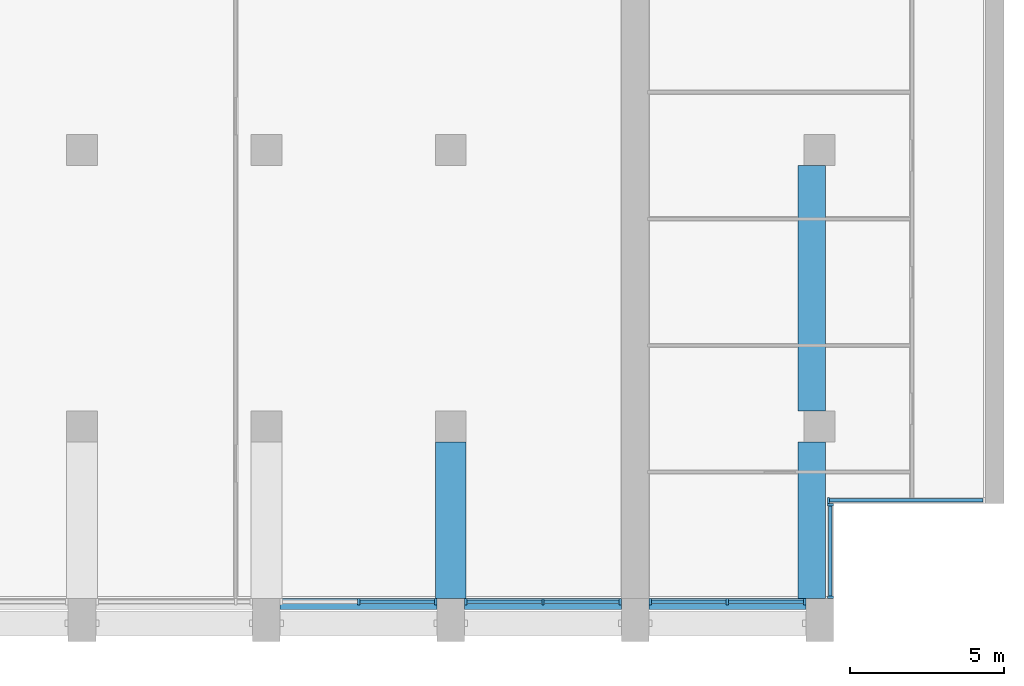
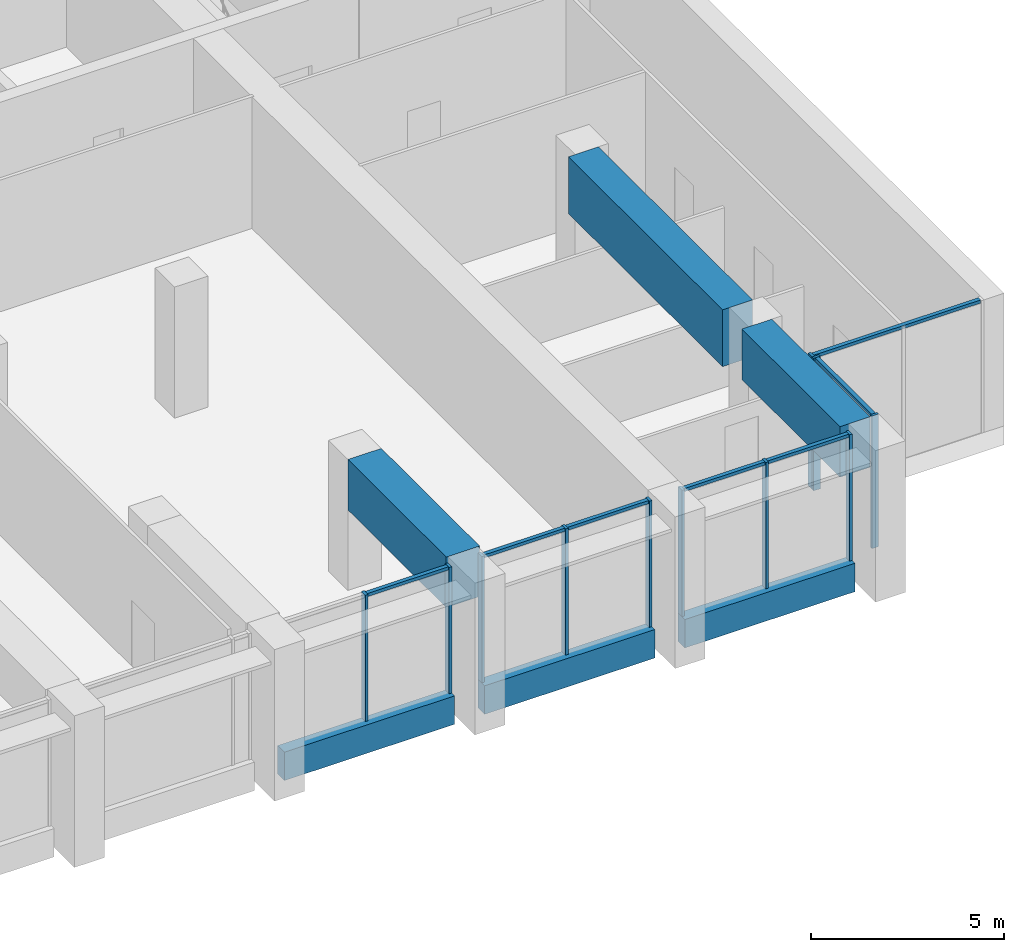
# One storey, part 3 of 13: 18 members, 6 beams, 5 elements without a shape of their own.
"""IFC4 building model written with IfcOpenShell, lengths in metres."""

from ifc_helpers import new_model, si_unit, direction, frame, origin, origin_2d, place, context, subcontext, project, spatial, rectangle, extrude, material, material_profile, profile_set, type_object, element, aggregate, save


model = new_model("IFC4")

# Units and contexts
model_context = context("Model", 3, precision=1e-05, world=origin(), true_north=direction((0.0, 1.0)))
body_context = subcontext(model_context, "Body", "Model", "MODEL_VIEW")
ifc_project = project(units=[si_unit("LENGTHUNIT", "METRE"), si_unit("AREAUNIT", "SQUARE_METRE"), si_unit("VOLUMEUNIT", "CUBIC_METRE"), si_unit("PLANEANGLEUNIT", "RADIAN"), si_unit("MASSUNIT", "GRAM", prefix="KILO")], contexts=[model_context])

# Site, building, storey
site_placement = place(None, origin())
site = spatial("IfcSite", under=ifc_project, at=site_placement, CompositionType="ELEMENT")
building_placement = place(site_placement, origin())
building = spatial("IfcBuilding", under=site, at=building_placement, Name="Calvaro Tower", CompositionType="ELEMENT")
storey_placement = place(building_placement, frame((0.0, 0.0, 226.75)))
storey = spatial("IfcBuildingStorey", under=building, at=storey_placement, Name="L57", CompositionType="ELEMENT", Elevation=226.75)

# Curtain wall, members
ifc_material_1 = material(Name="Anodised aluminium", Category="aluminium")
curtain_wall_type = type_object("IfcCurtainWallType", Name="Louvre wall", PredefinedType="NOTDEFINED", material=ifc_material_1)
curtain_wall_1_placement = place(storey_placement, origin())
curtain_wall_1 = element("IfcCurtainWall", 1, at=curtain_wall_1_placement, inside=storey, type_object=curtain_wall_type, Name="CW8 south louvre wall", PredefinedType="NOTDEFINED")
ifc_material_2 = material(Name="Anodised aluminium", Category="aluminium")
ifc_material_profile_1 = material_profile(ifc_material_2, rectangle(XDim=0.199951171875, YDim=0.080078125, at=origin_2d()), Name="Mullion LV 80 x 200")
ifc_profile_set_1 = profile_set([ifc_material_profile_1], Name="Anodised aluminium")
member_type_1 = type_object("IfcMemberType", Name="Mullion LV 80 x 200", PredefinedType="MULLION", material=ifc_profile_set_1)
member_1_placement = place(storey_placement, frame((51.0, 4.300048828125, 0.0), z_axis=(0.0, 0.0, 1.0), x_axis=(0.0, 1.0, 0.0)))
member_1 = element("IfcMember", 2, at=member_1_placement, type_object=member_type_1, Name="CW8 mullion 2", PredefinedType="MULLION", context=body_context, shape_type="SweptSolid", body=[
    extrude(rectangle(XDim=0.199951171875, YDim=0.080078125, at=origin_2d()), origin(), (0.0, 0.0, 1.0), 4.0),
])
member_2_placement = place(storey_placement, frame((53.510009765625, 4.300048828125, 0.0), z_axis=(0.0, 0.0, 1.0), x_axis=(0.0, 1.0, 0.0)))
member_2 = element("IfcMember", 3, at=member_2_placement, type_object=member_type_1, Name="CW8 mullion 3", PredefinedType="MULLION", context=body_context, shape_type="SweptSolid", body=[
    extrude(rectangle(XDim=0.199951171875, YDim=0.080078125, at=origin_2d()), origin(), (0.0, 0.0, 1.0), 4.0),
])

curtain_wall_2_placement = place(storey_placement, origin())
curtain_wall_2 = element("IfcCurtainWall", 4, at=curtain_wall_2_placement, inside=storey, type_object=curtain_wall_type, Name="CW8 south louvre wall", PredefinedType="NOTDEFINED")
member_3_placement = place(storey_placement, frame((54.489990234375, 4.300048828125, 0.0), z_axis=(0.0, 0.0, 1.0), x_axis=(0.0, 1.0, 0.0)))
member_3 = element("IfcMember", 5, at=member_3_placement, type_object=member_type_1, Name="CW8 mullion 1", PredefinedType="MULLION", context=body_context, shape_type="SweptSolid", body=[
    extrude(rectangle(XDim=0.199951171875, YDim=0.080078125, at=origin_2d()), origin(), (0.0, 0.0, 1.0), 4.0),
])
member_4_placement = place(storey_placement, frame((57.0, 4.300048828125, 0.0), z_axis=(0.0, 0.0, 1.0), x_axis=(0.0, 1.0, 0.0)))
member_4 = element("IfcMember", 6, at=member_4_placement, type_object=member_type_1, Name="CW8 mullion 2", PredefinedType="MULLION", context=body_context, shape_type="SweptSolid", body=[
    extrude(rectangle(XDim=0.199951171875, YDim=0.080078125, at=origin_2d()), origin(), (0.0, 0.0, 1.0), 4.0),
])
member_5_placement = place(storey_placement, frame((59.510009765625, 4.300048828125, 0.0), z_axis=(0.0, 0.0, 1.0), x_axis=(0.0, 1.0, 0.0)))
member_5 = element("IfcMember", 7, at=member_5_placement, type_object=member_type_1, Name="CW8 mullion 3", PredefinedType="MULLION", context=body_context, shape_type="SweptSolid", body=[
    extrude(rectangle(XDim=0.199951171875, YDim=0.080078125, at=origin_2d()), origin(), (0.0, 0.0, 1.0), 4.0),
])

curtain_wall_3_placement = place(storey_placement, origin())
curtain_wall_3 = element("IfcCurtainWall", 8, at=curtain_wall_3_placement, inside=storey, type_object=curtain_wall_type, Name="CW8 south louvre wall", PredefinedType="NOTDEFINED")
member_6_placement = place(storey_placement, frame((60.489990234375, 4.300048828125, 0.0), z_axis=(0.0, 0.0, 1.0), x_axis=(0.0, 1.0, 0.0)))
member_6 = element("IfcMember", 9, at=member_6_placement, type_object=member_type_1, Name="CW8 mullion 1", PredefinedType="MULLION", context=body_context, shape_type="SweptSolid", body=[
    extrude(rectangle(XDim=0.199951171875, YDim=0.080078125, at=origin_2d()), origin(), (0.0, 0.0, 1.0), 4.0),
])
member_7_placement = place(storey_placement, frame((63.0, 4.300048828125, 0.0), z_axis=(0.0, 0.0, 1.0), x_axis=(0.0, 1.0, 0.0)))
member_7 = element("IfcMember", 10, at=member_7_placement, type_object=member_type_1, Name="CW8 mullion 2", PredefinedType="MULLION", context=body_context, shape_type="SweptSolid", body=[
    extrude(rectangle(XDim=0.199951171875, YDim=0.080078125, at=origin_2d()), origin(), (0.0, 0.0, 1.0), 4.0),
])
member_8_placement = place(storey_placement, frame((65.510009765625, 4.300048828125, 0.0), z_axis=(0.0, 0.0, 1.0), x_axis=(0.0, 1.0, 0.0)))
member_8 = element("IfcMember", 11, at=member_8_placement, type_object=member_type_1, Name="CW8 mullion 3", PredefinedType="MULLION", context=body_context, shape_type="SweptSolid", body=[
    extrude(rectangle(XDim=0.199951171875, YDim=0.080078125, at=origin_2d()), origin(), (0.0, 0.0, 1.0), 4.0),
])

curtain_wall_4_placement = place(storey_placement, origin())
curtain_wall_4 = element("IfcCurtainWall", 12, at=curtain_wall_4_placement, inside=storey, type_object=curtain_wall_type, Name="CW8 corner curtain wall", PredefinedType="NOTDEFINED")
member_9_placement = place(storey_placement, frame((66.35009765625, 4.43994140625, 0.0), z_axis=(0.0, 0.0, 1.0), x_axis=(-1.0, 0.0, 0.0)))
member_9 = element("IfcMember", 13, at=member_9_placement, type_object=member_type_1, Name="CW8 mullion 1", PredefinedType="MULLION", context=body_context, shape_type="SweptSolid", body=[
    extrude(rectangle(XDim=0.199951171875, YDim=0.080078125, at=origin_2d()), origin(), (0.0, 0.0, 1.0), 4.199951171875),
])
member_10_placement = place(storey_placement, frame((66.35009765625, 7.4599609375, 0.0), z_axis=(0.0, 0.0, 1.0), x_axis=(-1.0, 0.0, 0.0)))
member_10 = element("IfcMember", 14, at=member_10_placement, type_object=member_type_1, Name="CW8 mullion 2", PredefinedType="MULLION", context=body_context, shape_type="SweptSolid", body=[
    extrude(rectangle(XDim=0.199951171875, YDim=0.080078125, at=origin_2d()), origin(), (0.0, 0.0, 1.0), 4.199951171875),
])

# Curtain wall, member
curtain_wall_5_placement = place(storey_placement, origin())
curtain_wall_5 = element("IfcCurtainWall", 15, at=curtain_wall_5_placement, inside=storey, type_object=curtain_wall_type, Name="CW8 corner curtain wall", PredefinedType="NOTDEFINED")
member_11_placement = place(storey_placement, frame((66.2900390625, 7.60009765625, 0.0), z_axis=(0.0, 0.0, 1.0), x_axis=(0.0, 1.0, 0.0)))
member_11 = element("IfcMember", 16, at=member_11_placement, type_object=member_type_1, Name="CW8 mullion 1", PredefinedType="MULLION", context=body_context, shape_type="SweptSolid", body=[
    extrude(rectangle(XDim=0.199951171875, YDim=0.080078125, at=origin_2d()), origin(), (0.0, 0.0, 1.0), 4.199951171875),
])

# Beams
ifc_material_3 = material(Name="Concrete C50/60 precast", Category="concrete")
ifc_material_profile_2 = material_profile(ifc_material_3, rectangle(XDim=0.35009765625, YDim=0.89990234375, at=origin_2d()), Name="RC 350x900")
ifc_profile_set_2 = profile_set([ifc_material_profile_2], Name="Concrete C50/60 precast")
beam_type_1 = type_object("IfcBeamType", Name="Spandrel beam 350x900 C50/60", PredefinedType="SPANDREL", material=ifc_profile_set_2)
for number, where, z_axis, x_axis, name in (
    (17, (48.449951171875, 4.22509765625, -0.449951171875), (1.0, 0.0, 0.0), (0.0, 1.0, 0.0), "Spandrel beam"),
    (18, (54.449951171875, 4.22509765625, -0.449951171875), (1.0, 0.0, 0.0), (0.0, 1.0, 0.0), "Spandrel beam"),
    (19, (60.449951171875, 4.22509765625, -0.449951171875), (1.0, 0.0, 0.0), (0.0, 1.0, 0.0), "Spandrel beam"),
):
    element("IfcBeam", number, at=place(storey_placement, frame(where, z_axis=z_axis, x_axis=x_axis)), inside=storey, type_object=beam_type_1, Name=name, PredefinedType="SPANDREL", context=body_context, shape_type="SweptSolid", body=[
        extrude(rectangle(XDim=0.35009765625, YDim=0.89990234375, at=origin_2d()), origin(), (0.0, 0.0, 1.0), 5.10009765625),
    ])
ifc_material_4 = material(Name="Concrete C60/75", Category="concrete")
ifc_material_profile_3 = material_profile(ifc_material_4, rectangle(XDim=1.0, YDim=1.60009765625, at=origin_2d()), Name="RC 1000x1600")
ifc_profile_set_3 = profile_set([ifc_material_profile_3], Name="Concrete C60/75")
beam_type_2 = type_object("IfcBeamType", Name="Transfer girder 1000x1600 C60/75", PredefinedType="BEAM", material=ifc_profile_set_3)
beam_1_placement = place(storey_placement, frame((54.0, 4.39990234375, 3.39990234375), z_axis=(0.0, 1.0, 0.0), x_axis=(-1.0, 0.0, 0.0)))
element("IfcBeam", 20, at=beam_1_placement, inside=storey, type_object=beam_type_2, Name="Transfer girder", PredefinedType="BEAM", context=body_context, shape_type="SweptSolid", body=[
    extrude(rectangle(XDim=1.0, YDim=1.60009765625, at=origin_2d()), origin(), (0.0, 0.0, 1.0), 5.10009765625),
])
ifc_material_5 = material(Name="Concrete C60/75", Category="concrete")
ifc_material_profile_4 = material_profile(ifc_material_5, rectangle(XDim=0.89990234375, YDim=1.60009765625, at=origin_2d()), Name="RC 900x1600")
ifc_profile_set_4 = profile_set([ifc_material_profile_4], Name="Concrete C60/75")
beam_type_3 = type_object("IfcBeamType", Name="Transfer girder 900x1600 C60/75", PredefinedType="BEAM", material=ifc_profile_set_4)
beam_2_placement = place(storey_placement, frame((65.75, 4.39990234375, 3.39990234375), z_axis=(0.0, 1.0, 0.0), x_axis=(-1.0, 0.0, 0.0)))
element("IfcBeam", 21, at=beam_2_placement, inside=storey, type_object=beam_type_3, Name="Transfer girder", PredefinedType="BEAM", context=body_context, shape_type="SweptSolid", body=[
    extrude(rectangle(XDim=0.89990234375, YDim=1.60009765625, at=origin_2d()), origin(), (0.0, 0.0, 1.0), 5.10009765625),
])
ifc_material_6 = material(Name="Concrete C60/75", Category="concrete")
ifc_material_profile_5 = material_profile(ifc_material_6, rectangle(XDim=0.89990234375, YDim=1.800048828125, at=origin_2d()), Name="RC 900x1800")
ifc_profile_set_5 = profile_set([ifc_material_profile_5], Name="Concrete C60/75")
beam_type_4 = type_object("IfcBeamType", Name="Transfer girder 900x1800 C60/75", PredefinedType="BEAM", material=ifc_profile_set_5)
beam_3_placement = place(storey_placement, frame((65.75, 10.5, 3.300048828125), z_axis=(0.0, 1.0, 0.0), x_axis=(-1.0, 0.0, 0.0)))
element("IfcBeam", 22, at=beam_3_placement, inside=storey, type_object=beam_type_4, Name="Transfer girder", PredefinedType="BEAM", context=body_context, shape_type="SweptSolid", body=[
    extrude(rectangle(XDim=0.89990234375, YDim=1.800048828125, at=origin_2d()), origin(), (0.0, 0.0, 1.0), 8.0),
])

# Member
ifc_material_7 = material(Name="Anodised aluminium", Category="aluminium")
ifc_material_profile_6 = material_profile(ifc_material_7, rectangle(XDim=0.1201171875, YDim=0.10009765625, at=origin_2d()), Name="Transom LV 100 x 120")
ifc_profile_set_6 = profile_set([ifc_material_profile_6], Name="Anodised aluminium")
member_type_2 = type_object("IfcMemberType", Name="Transom LV 100 x 120", PredefinedType="USERDEFINED", material=ifc_profile_set_6)
member_12_placement = place(storey_placement, frame((51.0400390625, 4.300048828125, 3.949951171875), z_axis=(1.0, 0.0, 0.0), x_axis=(0.0, 1.0, 0.0)))
member_12 = element("IfcMember", 23, at=member_12_placement, type_object=member_type_2, Name="CW8 transom 2.1", ObjectType="TRANSOM", PredefinedType="USERDEFINED", context=body_context, shape_type="SweptSolid", body=[
    extrude(rectangle(XDim=0.1201171875, YDim=0.10009765625, at=origin_2d()), origin(), (0.0, 0.0, 1.0), 2.429931640625),
])

aggregate(curtain_wall_1, [member_1, member_2, member_12])

member_13_placement = place(storey_placement, frame((54.530029296875, 4.300048828125, 3.949951171875), z_axis=(1.0, 0.0, 0.0), x_axis=(0.0, 1.0, 0.0)))
member_13 = element("IfcMember", 24, at=member_13_placement, type_object=member_type_2, Name="CW8 transom 1.1", ObjectType="TRANSOM", PredefinedType="USERDEFINED", context=body_context, shape_type="SweptSolid", body=[
    extrude(rectangle(XDim=0.1201171875, YDim=0.10009765625, at=origin_2d()), origin(), (0.0, 0.0, 1.0), 2.429931640625),
])

member_14_placement = place(storey_placement, frame((57.0400390625, 4.300048828125, 3.949951171875), z_axis=(1.0, 0.0, 0.0), x_axis=(0.0, 1.0, 0.0)))
member_14 = element("IfcMember", 25, at=member_14_placement, type_object=member_type_2, Name="CW8 transom 2.1", ObjectType="TRANSOM", PredefinedType="USERDEFINED", context=body_context, shape_type="SweptSolid", body=[
    extrude(rectangle(XDim=0.1201171875, YDim=0.10009765625, at=origin_2d()), origin(), (0.0, 0.0, 1.0), 2.429931640625),
])

aggregate(curtain_wall_2, [member_3, member_4, member_5, member_13, member_14])

member_15_placement = place(storey_placement, frame((60.530029296875, 4.300048828125, 3.949951171875), z_axis=(1.0, 0.0, 0.0), x_axis=(0.0, 1.0, 0.0)))
member_15 = element("IfcMember", 26, at=member_15_placement, type_object=member_type_2, Name="CW8 transom 1.1", ObjectType="TRANSOM", PredefinedType="USERDEFINED", context=body_context, shape_type="SweptSolid", body=[
    extrude(rectangle(XDim=0.1201171875, YDim=0.10009765625, at=origin_2d()), origin(), (0.0, 0.0, 1.0), 2.429931640625),
])

member_16_placement = place(storey_placement, frame((63.0400390625, 4.300048828125, 3.949951171875), z_axis=(1.0, 0.0, 0.0), x_axis=(0.0, 1.0, 0.0)))
member_16 = element("IfcMember", 27, at=member_16_placement, type_object=member_type_2, Name="CW8 transom 2.1", ObjectType="TRANSOM", PredefinedType="USERDEFINED", context=body_context, shape_type="SweptSolid", body=[
    extrude(rectangle(XDim=0.1201171875, YDim=0.10009765625, at=origin_2d()), origin(), (0.0, 0.0, 1.0), 2.429931640625),
])

aggregate(curtain_wall_3, [member_6, member_7, member_8, member_15, member_16])

member_17_placement = place(storey_placement, frame((66.35009765625, 4.47998046875, 4.14990234375), z_axis=(0.0, 1.0, 0.0), x_axis=(-1.0, 0.0, 0.0)))
member_17 = element("IfcMember", 28, at=member_17_placement, type_object=member_type_2, Name="CW8 transom 1.1", ObjectType="TRANSOM", PredefinedType="USERDEFINED", context=body_context, shape_type="SweptSolid", body=[
    extrude(rectangle(XDim=0.1201171875, YDim=0.10009765625, at=origin_2d()), origin(), (0.0, 0.0, 1.0), 2.93994140625),
])

aggregate(curtain_wall_4, [member_9, member_10, member_17])

member_18_placement = place(storey_placement, frame((66.330078125, 7.60009765625, 4.14990234375), z_axis=(1.0, 0.0, 0.0), x_axis=(0.0, 1.0, 0.0)))
member_18 = element("IfcMember", 29, at=member_18_placement, type_object=member_type_2, Name="CW8 transom 1.1", ObjectType="TRANSOM", PredefinedType="USERDEFINED", context=body_context, shape_type="SweptSolid", body=[
    extrude(rectangle(XDim=0.1201171875, YDim=0.10009765625, at=origin_2d()), origin(), (0.0, 0.0, 1.0), 4.989990234375),
])

aggregate(curtain_wall_5, [member_11, member_18])

save(model, "model.ifc")
